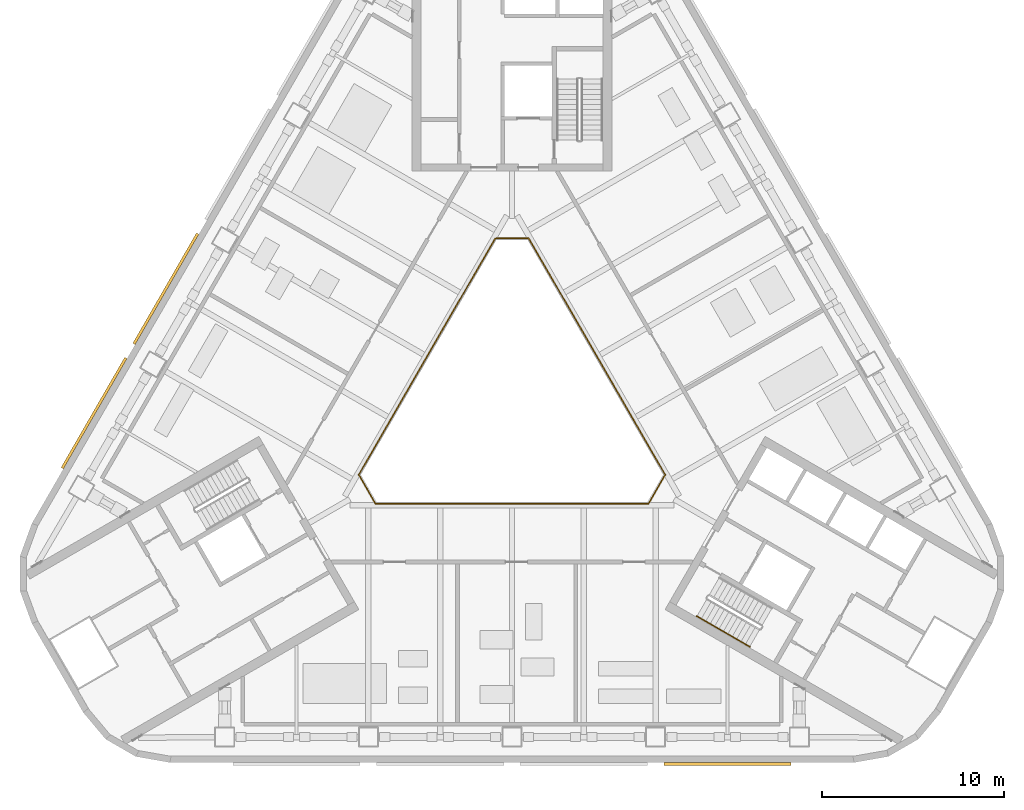
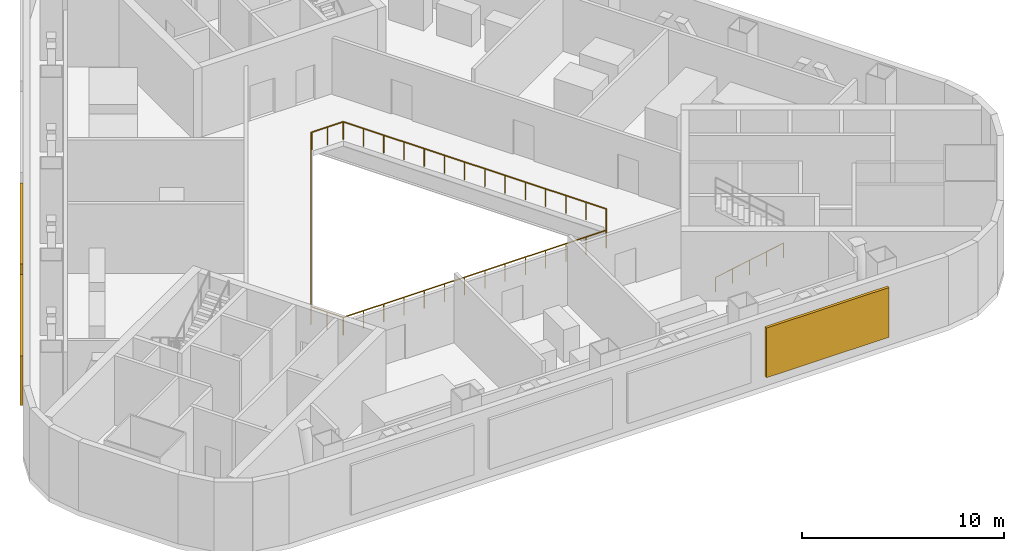
# One storey, part 12 of 15: 3 railings, 3 shading devices.
"""IFC4 building model written with IfcOpenShell, lengths in metres."""

from ifc_helpers import new_model, si_unit, direction, frame, origin, origin_2d, place, context, subcontext, project, spatial, rectangle, circle, extrude, material, type_object, element, save


model = new_model("IFC4")

# Units and contexts
model_context = context("Model", 3, precision=1e-05, world=origin(), true_north=direction((0.0, 1.0)))
body_context = subcontext(model_context, "Body", "Model", "MODEL_VIEW")
ifc_project = project(units=[si_unit("LENGTHUNIT", "METRE"), si_unit("AREAUNIT", "SQUARE_METRE"), si_unit("VOLUMEUNIT", "CUBIC_METRE"), si_unit("PLANEANGLEUNIT", "RADIAN"), si_unit("MASSUNIT", "GRAM", prefix="KILO")], contexts=[model_context])

# Site, building, storey
site_placement = place(None, origin())
site = spatial("IfcSite", under=ifc_project, at=site_placement, CompositionType="ELEMENT")
building_placement = place(site_placement, origin())
building = spatial("IfcBuilding", under=site, at=building_placement, Name="Apuvela Tower Hotel", CompositionType="ELEMENT")
storey_placement = place(building_placement, frame((0.0, 0.0, 37.5)))
storey = spatial("IfcBuildingStorey", under=building, at=storey_placement, Name="L06 Plant", CompositionType="ELEMENT", Elevation=37.5)

# Railings
ifc_material_1 = material(Name="Stainless steel 316 handrail", Category="steel")
railing_type_1 = type_object("IfcRailingType", Name="COR-HANDRAIL-900", PredefinedType="HANDRAIL", material=ifc_material_1)
railing_1_placement = place(storey_placement, frame((10.1689453125, -11.5869140625, 0.173095703125)))
element("IfcRailing", 1, at=railing_1_placement, inside=storey, type_object=railing_type_1, Name="L06 Plant ST3 stair handrail 1", PredefinedType="HANDRAIL", context=body_context, shape_type="SweptSolid", body=[
    extrude(circle(Radius=0.02392578125, at=origin_2d()), frame((0.0, 0.0, 0.8759765625), z_axis=(0.736667954249, -0.425288379326, 0.525785240943), x_axis=(0.499976138585, 0.866039179741, 0.0)), (0.0, 0.0, 1.0), 3.9501953125),
    extrude(rectangle(XDim=0.0419921875, YDim=0.0419921875, at=origin_2d()), origin(), (0.0, 0.0, 1.0), 0.851806640625),
    extrude(rectangle(XDim=0.0419921875, YDim=0.0419921875, at=origin_2d()), frame((0.7275390625, -0.419921875, 0.519287109375)), (0.0, 0.0, 1.0), 0.851806640625),
    extrude(rectangle(XDim=0.0419921875, YDim=0.0419921875, at=origin_2d()), frame((1.455078125, -0.83984375, 1.03857421875)), (0.0, 0.0, 1.0), 0.851806640625),
    extrude(rectangle(XDim=0.0419921875, YDim=0.0419921875, at=origin_2d()), frame((2.182373046875, -1.260009765625, 1.5576171875)), (0.0, 0.0, 1.0), 0.851806640625),
    extrude(rectangle(XDim=0.0419921875, YDim=0.0419921875, at=origin_2d()), frame((2.909912109375, -1.679931640625, 2.076904296875)), (0.0, 0.0, 1.0), 0.851806640625),
])
ifc_material_2 = material(Name="Stainless steel 316 rail with laminated glass infill", Category="steel")
railing_type_2 = type_object("IfcRailingType", Name="ENV-GUARD-1100", PredefinedType="GUARDRAIL", material=ifc_material_2)
railing_2_placement = place(storey_placement, frame((-0.923828125, 9.199951171875, 0.0)))
element("IfcRailing", 2, at=railing_2_placement, inside=storey, type_object=railing_type_2, Name="Atrium void guard A L06 Plant", PredefinedType="GUARDRAIL", context=body_context, shape_type="SweptSolid", body=[
    extrude(rectangle(XDim=0.050048828125, YDim=0.050048828125, at=origin_2d()), frame((0.0, 0.0, 1.0751953125), z_axis=(-0.499990886379, -0.866030665472, 0.0), x_axis=(0.866030665472, -0.499990886379, 0.0)), (0.0, 0.0, 1.0), 15.010986328125),
    extrude(rectangle(XDim=0.050048828125, YDim=0.050048828125, at=origin_2d()), frame((-7.50537109375, -13.0, 1.0751953125), z_axis=(0.499962699187, -0.866046938348, 0.0), x_axis=(0.866046938348, 0.499962699187, 0.0)), (0.0, 0.0, 1.0), 1.847412109375),
    extrude(rectangle(XDim=0.050048828125, YDim=0.050048828125, at=origin_2d()), frame((-6.581787109375, -14.599853515625, 1.0751953125), z_axis=(1.0, 0.0, 0.0), x_axis=(0.0, 1.0, 0.0)), (0.0, 0.0, 1.0), 15.01123046875),
    extrude(rectangle(XDim=0.0400390625, YDim=0.0400390625, at=origin_2d()), origin(), (0.0, 0.0, 1.0), 1.050048828125),
    extrude(rectangle(XDim=0.0400390625, YDim=0.0400390625, at=origin_2d()), frame((-0.577392578125, -1.0, 0.0)), (0.0, 0.0, 1.0), 1.050048828125),
    extrude(rectangle(XDim=0.0400390625, YDim=0.0400390625, at=origin_2d()), frame((-1.15478515625, -2.0, 0.0)), (0.0, 0.0, 1.0), 1.050048828125),
    extrude(rectangle(XDim=0.0400390625, YDim=0.0400390625, at=origin_2d()), frame((-1.73193359375, -3.0, 0.0)), (0.0, 0.0, 1.0), 1.050048828125),
    extrude(rectangle(XDim=0.0400390625, YDim=0.0400390625, at=origin_2d()), frame((-2.309326171875, -4.0, 0.0)), (0.0, 0.0, 1.0), 1.050048828125),
    extrude(rectangle(XDim=0.0400390625, YDim=0.0400390625, at=origin_2d()), frame((-2.88671875, -5.0, 0.0)), (0.0, 0.0, 1.0), 1.050048828125),
    extrude(rectangle(XDim=0.0400390625, YDim=0.0400390625, at=origin_2d()), frame((-3.464111328125, -6.0, 0.0)), (0.0, 0.0, 1.0), 1.050048828125),
    extrude(rectangle(XDim=0.0400390625, YDim=0.0400390625, at=origin_2d()), frame((-4.041259765625, -7.0, 0.0)), (0.0, 0.0, 1.0), 1.050048828125),
    extrude(rectangle(XDim=0.0400390625, YDim=0.0400390625, at=origin_2d()), frame((-4.61865234375, -8.0, 0.0)), (0.0, 0.0, 1.0), 1.050048828125),
    extrude(rectangle(XDim=0.0400390625, YDim=0.0400390625, at=origin_2d()), frame((-5.196044921875, -9.0, 0.0)), (0.0, 0.0, 1.0), 1.050048828125),
    extrude(rectangle(XDim=0.0400390625, YDim=0.0400390625, at=origin_2d()), frame((-5.7734375, -10.0, 0.0)), (0.0, 0.0, 1.0), 1.050048828125),
    extrude(rectangle(XDim=0.0400390625, YDim=0.0400390625, at=origin_2d()), frame((-6.3505859375, -11.0, 0.0)), (0.0, 0.0, 1.0), 1.050048828125),
    extrude(rectangle(XDim=0.0400390625, YDim=0.0400390625, at=origin_2d()), frame((-6.927978515625, -12.0, 0.0)), (0.0, 0.0, 1.0), 1.050048828125),
    extrude(rectangle(XDim=0.0400390625, YDim=0.0400390625, at=origin_2d()), frame((-7.50537109375, -13.0, 0.0)), (0.0, 0.0, 1.0), 1.050048828125),
    extrude(rectangle(XDim=0.0400390625, YDim=0.0400390625, at=origin_2d()), frame((-7.04345703125, -13.7998046875, 0.0)), (0.0, 0.0, 1.0), 1.050048828125),
    extrude(rectangle(XDim=0.0400390625, YDim=0.0400390625, at=origin_2d()), frame((-6.581787109375, -14.599853515625, 0.0)), (0.0, 0.0, 1.0), 1.050048828125),
    extrude(rectangle(XDim=0.0400390625, YDim=0.0400390625, at=origin_2d()), frame((-5.427001953125, -14.599853515625, 0.0)), (0.0, 0.0, 1.0), 1.050048828125),
    extrude(rectangle(XDim=0.0400390625, YDim=0.0400390625, at=origin_2d()), frame((-4.2724609375, -14.599853515625, 0.0)), (0.0, 0.0, 1.0), 1.050048828125),
    extrude(rectangle(XDim=0.0400390625, YDim=0.0400390625, at=origin_2d()), frame((-3.11767578125, -14.599853515625, 0.0)), (0.0, 0.0, 1.0), 1.050048828125),
    extrude(rectangle(XDim=0.0400390625, YDim=0.0400390625, at=origin_2d()), frame((-1.962890625, -14.599853515625, 0.0)), (0.0, 0.0, 1.0), 1.050048828125),
    extrude(rectangle(XDim=0.0400390625, YDim=0.0400390625, at=origin_2d()), frame((-0.808349609375, -14.599853515625, 0.0)), (0.0, 0.0, 1.0), 1.050048828125),
    extrude(rectangle(XDim=0.0400390625, YDim=0.0400390625, at=origin_2d()), frame((0.346435546875, -14.599853515625, 0.0)), (0.0, 0.0, 1.0), 1.050048828125),
    extrude(rectangle(XDim=0.0400390625, YDim=0.0400390625, at=origin_2d()), frame((1.501220703125, -14.599853515625, 0.0)), (0.0, 0.0, 1.0), 1.050048828125),
    extrude(rectangle(XDim=0.0400390625, YDim=0.0400390625, at=origin_2d()), frame((2.656005859375, -14.599853515625, 0.0)), (0.0, 0.0, 1.0), 1.050048828125),
    extrude(rectangle(XDim=0.0400390625, YDim=0.0400390625, at=origin_2d()), frame((3.810546875, -14.599853515625, 0.0)), (0.0, 0.0, 1.0), 1.050048828125),
    extrude(rectangle(XDim=0.0400390625, YDim=0.0400390625, at=origin_2d()), frame((4.96533203125, -14.599853515625, 0.0)), (0.0, 0.0, 1.0), 1.050048828125),
    extrude(rectangle(XDim=0.0400390625, YDim=0.0400390625, at=origin_2d()), frame((6.1201171875, -14.599853515625, 0.0)), (0.0, 0.0, 1.0), 1.050048828125),
    extrude(rectangle(XDim=0.0400390625, YDim=0.0400390625, at=origin_2d()), frame((7.274658203125, -14.599853515625, 0.0)), (0.0, 0.0, 1.0), 1.050048828125),
    extrude(rectangle(XDim=0.0400390625, YDim=0.0400390625, at=origin_2d()), frame((8.429443359375, -14.599853515625, 0.0)), (0.0, 0.0, 1.0), 1.050048828125),
])
railing_3_placement = place(storey_placement, frame((7.53564453125, -5.347900390625, 0.0)))
element("IfcRailing", 3, at=railing_3_placement, inside=storey, type_object=railing_type_2, Name="Atrium void guard B L06 Plant", PredefinedType="GUARDRAIL", context=body_context, shape_type="SweptSolid", body=[
    extrude(rectangle(XDim=0.050048828125, YDim=0.050048828125, at=origin_2d()), frame((0.0, 0.0, 1.0751953125), z_axis=(0.499958946799, 0.866049104564, 0.0), x_axis=(-0.866049104564, 0.499958946799, 0.0)), (0.0, 0.0, 1.0), 1.787353515625),
    extrude(rectangle(XDim=0.050048828125, YDim=0.050048828125, at=origin_2d()), frame((0.8935546875, 1.5478515625, 1.0751953125), z_axis=(-0.499990886379, 0.866030665472, 0.0), x_axis=(-0.866030665472, -0.499990886379, 0.0)), (0.0, 0.0, 1.0), 15.010986328125),
    extrude(rectangle(XDim=0.050048828125, YDim=0.050048828125, at=origin_2d()), frame((-6.61181640625, 14.5478515625, 1.0751953125), z_axis=(-1.0, 0.0, 0.0), x_axis=(0.0, -1.0, 0.0)), (0.0, 0.0, 1.0), 1.78759765625),
    extrude(rectangle(XDim=0.0400390625, YDim=0.0400390625, at=origin_2d()), origin(), (0.0, 0.0, 1.0), 1.050048828125),
    extrude(rectangle(XDim=0.0400390625, YDim=0.0400390625, at=origin_2d()), frame((0.44677734375, 0.77392578125, 0.0)), (0.0, 0.0, 1.0), 1.050048828125),
    extrude(rectangle(XDim=0.0400390625, YDim=0.0400390625, at=origin_2d()), frame((0.8935546875, 1.5478515625, 0.0)), (0.0, 0.0, 1.0), 1.050048828125),
    extrude(rectangle(XDim=0.0400390625, YDim=0.0400390625, at=origin_2d()), frame((0.316162109375, 2.5478515625, 0.0)), (0.0, 0.0, 1.0), 1.050048828125),
    extrude(rectangle(XDim=0.0400390625, YDim=0.0400390625, at=origin_2d()), frame((-0.26123046875, 3.5478515625, 0.0)), (0.0, 0.0, 1.0), 1.050048828125),
    extrude(rectangle(XDim=0.0400390625, YDim=0.0400390625, at=origin_2d()), frame((-0.83837890625, 4.5478515625, 0.0)), (0.0, 0.0, 1.0), 1.050048828125),
    extrude(rectangle(XDim=0.0400390625, YDim=0.0400390625, at=origin_2d()), frame((-1.415771484375, 5.5478515625, 0.0)), (0.0, 0.0, 1.0), 1.050048828125),
    extrude(rectangle(XDim=0.0400390625, YDim=0.0400390625, at=origin_2d()), frame((-1.9931640625, 6.5478515625, 0.0)), (0.0, 0.0, 1.0), 1.050048828125),
    extrude(rectangle(XDim=0.0400390625, YDim=0.0400390625, at=origin_2d()), frame((-2.570556640625, 7.5478515625, 0.0)), (0.0, 0.0, 1.0), 1.050048828125),
    extrude(rectangle(XDim=0.0400390625, YDim=0.0400390625, at=origin_2d()), frame((-3.147705078125, 8.5478515625, 0.0)), (0.0, 0.0, 1.0), 1.050048828125),
    extrude(rectangle(XDim=0.0400390625, YDim=0.0400390625, at=origin_2d()), frame((-3.72509765625, 9.5478515625, 0.0)), (0.0, 0.0, 1.0), 1.050048828125),
    extrude(rectangle(XDim=0.0400390625, YDim=0.0400390625, at=origin_2d()), frame((-4.302490234375, 10.5478515625, 0.0)), (0.0, 0.0, 1.0), 1.050048828125),
    extrude(rectangle(XDim=0.0400390625, YDim=0.0400390625, at=origin_2d()), frame((-4.8798828125, 11.5478515625, 0.0)), (0.0, 0.0, 1.0), 1.050048828125),
    extrude(rectangle(XDim=0.0400390625, YDim=0.0400390625, at=origin_2d()), frame((-5.45703125, 12.5478515625, 0.0)), (0.0, 0.0, 1.0), 1.050048828125),
    extrude(rectangle(XDim=0.0400390625, YDim=0.0400390625, at=origin_2d()), frame((-6.034423828125, 13.5478515625, 0.0)), (0.0, 0.0, 1.0), 1.050048828125),
    extrude(rectangle(XDim=0.0400390625, YDim=0.0400390625, at=origin_2d()), frame((-6.61181640625, 14.5478515625, 0.0)), (0.0, 0.0, 1.0), 1.050048828125),
    extrude(rectangle(XDim=0.0400390625, YDim=0.0400390625, at=origin_2d()), frame((-7.505615234375, 14.5478515625, 0.0)), (0.0, 0.0, 1.0), 1.050048828125),
    extrude(rectangle(XDim=0.0400390625, YDim=0.0400390625, at=origin_2d()), frame((-8.3994140625, 14.5478515625, 0.0)), (0.0, 0.0, 1.0), 1.050048828125),
])

# Shading devices
ifc_material_3 = material(Name="Aluminium 6063-T6, black anodised louvre blades", Category="aluminium")
shading_device_type = type_object("IfcShadingDeviceType", Name="ENV-LOUVRE-SCREEN", PredefinedType="USERDEFINED", material=ifc_material_3)
for number, where, z_axis, x_axis, name in (
    (4, (11.85009765625, -19.705078125, 0.60009765625), (0.0, 0.0, 1.0), (1.0, 0.0, 0.0), "Plant louvre S4"),
    (5, (-19.0400390625, 6.431640625, 0.60009765625), (0.0, 0.0, 1.0), (-0.5, -0.866025403784, 0.0), "Plant louvre NW11"),
    (6, (-22.989990234375, -0.409912109375, 0.60009765625), (0.0, 0.0, 1.0), (-0.5, -0.866025403784, 0.0), "Plant louvre NW12"),
):
    element("IfcShadingDevice", number, at=place(storey_placement, frame(where, z_axis=z_axis, x_axis=x_axis)), inside=storey, type_object=shading_device_type, Name=name, ObjectType="LOUVRE", PredefinedType="USERDEFINED", context=body_context, shape_type="SweptSolid", body=[
        extrude(rectangle(XDim=7.0, YDim=0.14990234375, at=origin_2d()), origin(), (0.0, 0.0, 1.0), 3.0),
    ])

save(model, "model.ifc")
